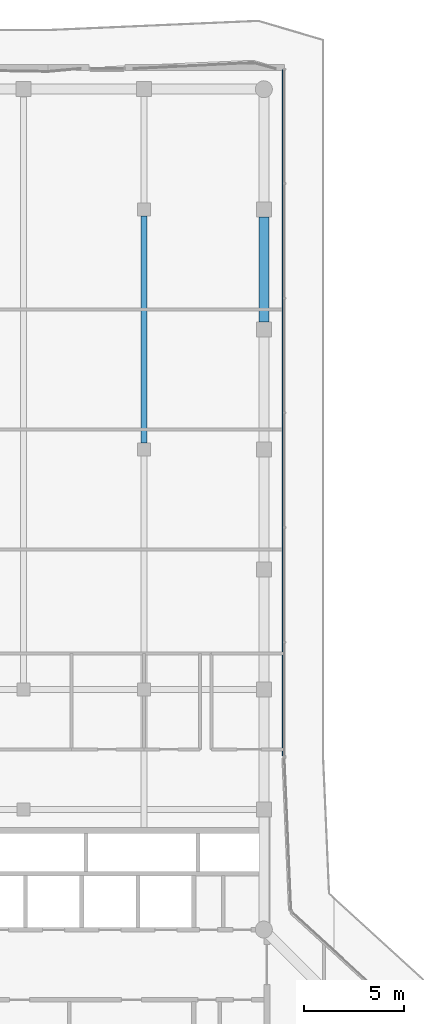
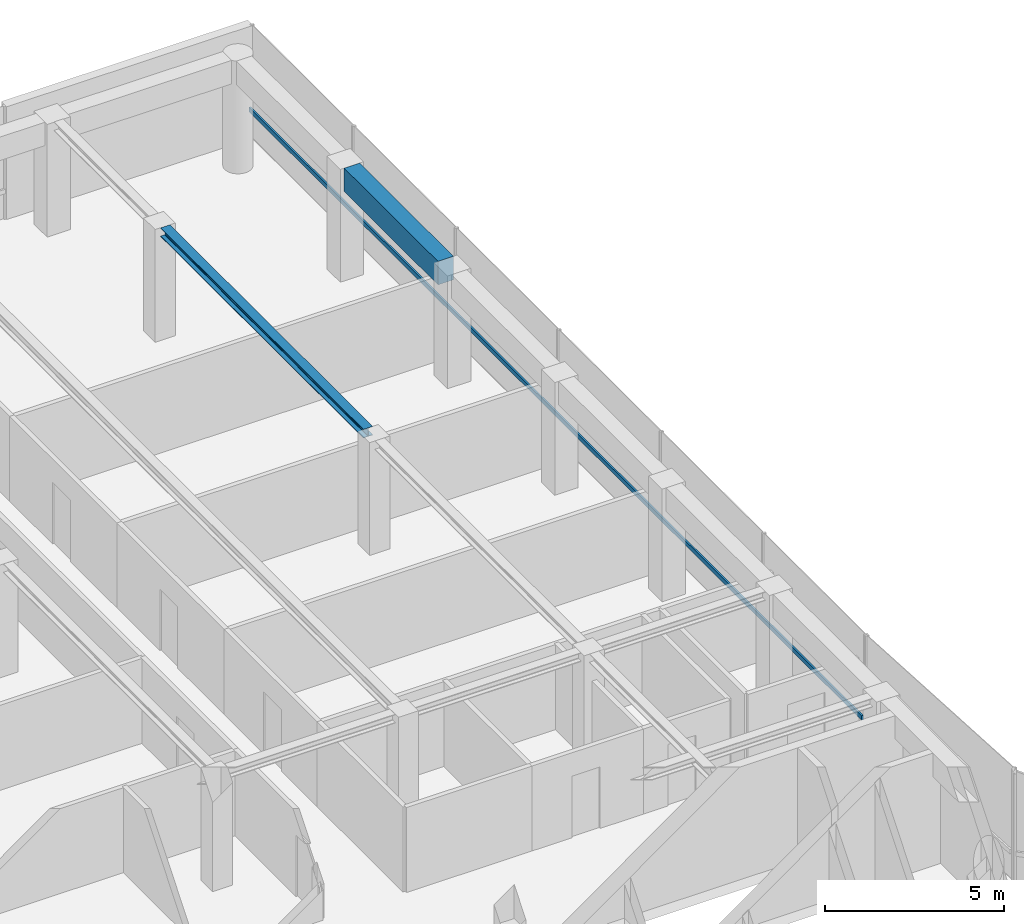
# One storey, part 13 of 20: 2 beams, 1 member, 1 element without a shape of its own.
"""IFC4 building model written with IfcOpenShell, lengths in metres."""

from ifc_helpers import new_model, si_unit, direction, frame, origin, origin_2d, place, context, subcontext, project, spatial, rectangle, i_section, extrude, material, layer, layer_set, material_profile, profile_set, type_object, element, aggregate, save


model = new_model("IFC4")

# Units and contexts
model_context = context("Model", 3, precision=1e-05, world=origin(), true_north=direction((0.0, 1.0)))
body_context = subcontext(model_context, "Body", "Model", "MODEL_VIEW")
ifc_project = project(units=[si_unit("LENGTHUNIT", "METRE"), si_unit("AREAUNIT", "SQUARE_METRE"), si_unit("VOLUMEUNIT", "CUBIC_METRE"), si_unit("PLANEANGLEUNIT", "RADIAN"), si_unit("MASSUNIT", "GRAM", prefix="KILO")], contexts=[model_context])

# Site, building, storey
site_placement = place(None, origin())
site = spatial("IfcSite", under=ifc_project, at=site_placement, CompositionType="ELEMENT")
building_placement = place(site_placement, origin())
building = spatial("IfcBuilding", under=site, at=building_placement, Name="Welwitschia Terrace Campus", CompositionType="ELEMENT")
storey_placement = place(building_placement, frame((0.0, 0.0, 297.800048828125)))
storey = spatial("IfcBuildingStorey", under=building, at=storey_placement, Name="L66", CompositionType="ELEMENT", Elevation=297.800048828125)

# Beams
ifc_material_1 = material(Name="Steel S355", Category="steel")
ifc_material_profile_1 = material_profile(ifc_material_1, i_section(OverallWidth=0.300048828125, OverallDepth=0.300048828125, WebThickness=0.010986328125, FlangeThickness=0.01904296875, FilletRadius=0.027099609375, at=origin_2d()))
ifc_profile_set_1 = profile_set([ifc_material_profile_1], Name="Steel S355")
beam_type_1 = type_object("IfcBeamType", Name="Interior girder HE 300 B", PredefinedType="BEAM", material=ifc_profile_set_1)
beam_1_placement = place(storey_placement, frame((18.0, 44.325439453125, 3.699951171875), z_axis=(0.0, 1.0, 0.0), x_axis=(-1.0, 0.0, 0.0)))
element("IfcBeam", 1, at=beam_1_placement, inside=storey, type_object=beam_type_1, Name="Girder GB6", PredefinedType="BEAM", context=body_context, shape_type="SweptSolid", body=[
    extrude(i_section(OverallWidth=0.300048828125, OverallDepth=0.300048828125, WebThickness=0.010986328125, FlangeThickness=0.01904296875, FilletRadius=0.027099609375, at=origin_2d()), origin(), (0.0, 0.0, 1.0), 11.34912109375),
])
ifc_material_2 = material(Name="Concrete C50/60", Category="concrete")
ifc_material_profile_2 = material_profile(ifc_material_2, rectangle(XDim=0.5, YDim=0.800048828125, at=origin_2d()))
ifc_profile_set_2 = profile_set([ifc_material_profile_2], Name="Concrete C50/60")
beam_type_2 = type_object("IfcBeamType", Name="Ring spandrel 500x800", PredefinedType="SPANDREL", material=ifc_profile_set_2)
beam_2_placement = place(storey_placement, frame((24.0, 50.37548828125, 3.449951171875), z_axis=(0.0, 1.0, 0.0), x_axis=(-1.0, 0.0, 0.0)))
element("IfcBeam", 2, at=beam_2_placement, inside=storey, type_object=beam_type_2, Name="Spandrel SP4", PredefinedType="SPANDREL", context=body_context, shape_type="SweptSolid", body=[
    extrude(rectangle(XDim=0.5, YDim=0.800048828125, at=origin_2d()), origin(), (0.0, 0.0, 1.0), 5.2490234375),
])

# Curtain wall, member
ifc_material_3 = material(Name="Bronze anodised aluminium", Category="aluminium")
ifc_layer = layer(ifc_material_3, 0.1201171875)
ifc_layer_set = layer_set([ifc_layer], Name="Bronze anodised aluminium")
curtain_wall_type = type_object("IfcCurtainWallType", Name="Curtain wall CW2 tower 6000", PredefinedType="NOTDEFINED", material=ifc_layer_set)
curtain_wall_placement = place(storey_placement, origin())
curtain_wall = element("IfcCurtainWall", 3, at=curtain_wall_placement, inside=storey, type_object=curtain_wall_type, Name="CW L66.6.0", PredefinedType="NOTDEFINED")
ifc_material_4 = material(Name="Bronze anodised aluminium", Category="aluminium")
ifc_material_profile_3 = material_profile(ifc_material_4, rectangle(XDim=0.06005859375, YDim=0.14990234375, at=origin_2d()))
ifc_profile_set_3 = profile_set([ifc_material_profile_3], Name="Bronze anodised aluminium")
member_type = type_object("IfcMemberType", Name="Transom 60x150", PredefinedType="USERDEFINED", material=ifc_profile_set_3)
member_placement = place(storey_placement, frame((24.93994140625, 28.689453125, 1.0), z_axis=(0.0, 1.0, 0.0), x_axis=(-1.0, 0.0, 0.0)))
member = element("IfcMember", 4, at=member_placement, type_object=member_type, Name="Transom L66.6.0", ObjectType="TRANSOM", PredefinedType="USERDEFINED", context=body_context, shape_type="SweptSolid", body=[
    extrude(rectangle(XDim=0.06005859375, YDim=0.14990234375, at=origin_2d()), origin(), (0.0, 0.0, 1.0), 34.27294921875),
])
aggregate(curtain_wall, [member])

save(model, "model.ifc")
